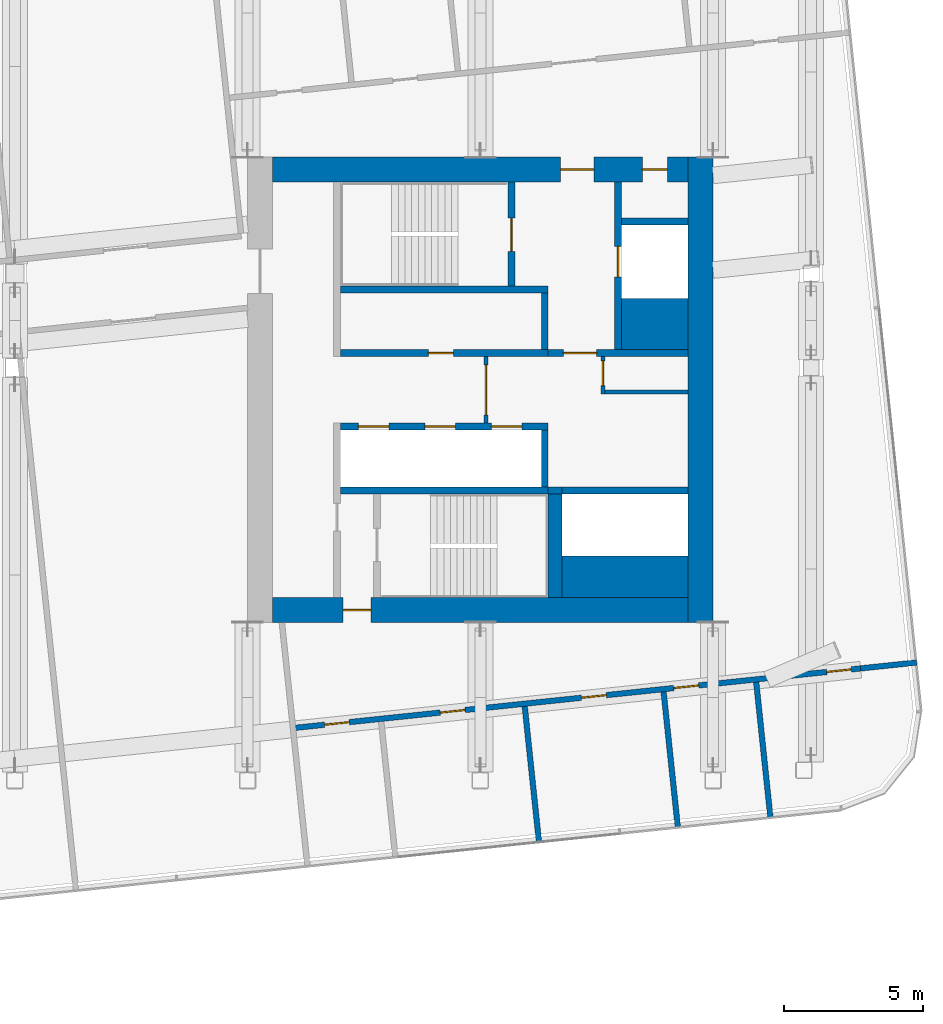
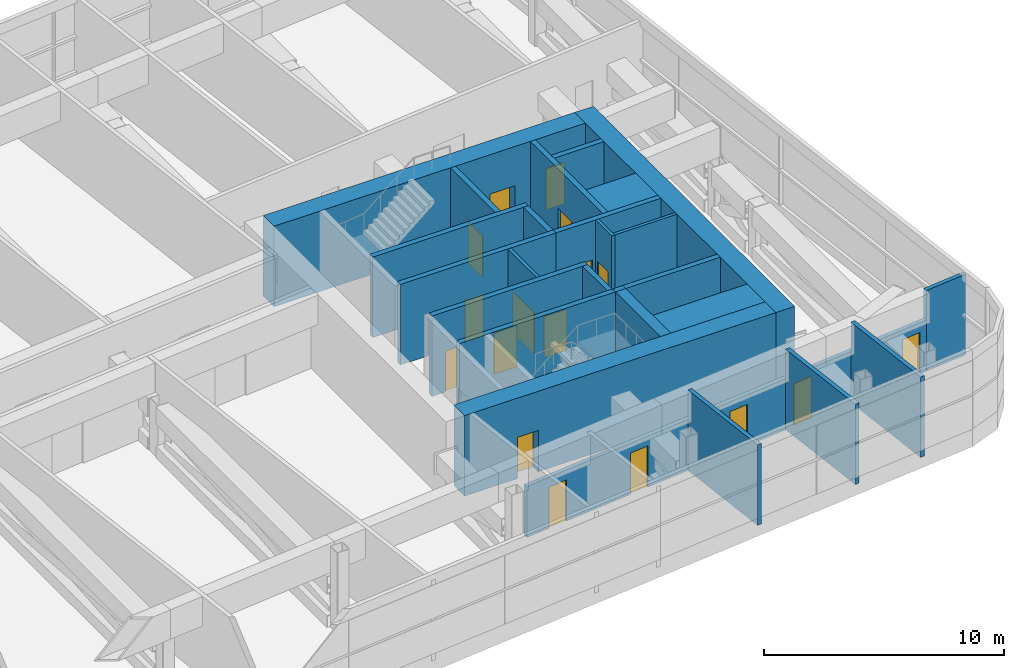
# One storey, part 18 of 33: 26 walls, 17 doors, 17 openings.
"""IFC4 building model written with IfcOpenShell, lengths in metres."""

from ifc_helpers import new_model, si_unit, direction, frame, frame_2d, origin, place, context, subcontext, project, spatial, rectangle, extrude, material, layer, layer_set, type_object, element, fill, save


model = new_model("IFC4")

# Units and contexts
model_context = context("Model", 3, precision=1e-05, world=origin(), true_north=direction((0.0, 1.0)))
body_context = subcontext(model_context, "Body", "Model", "MODEL_VIEW")
ifc_project = project(units=[si_unit("LENGTHUNIT", "METRE"), si_unit("AREAUNIT", "SQUARE_METRE"), si_unit("VOLUMEUNIT", "CUBIC_METRE"), si_unit("PLANEANGLEUNIT", "RADIAN"), si_unit("MASSUNIT", "GRAM", prefix="KILO")], contexts=[model_context])

# Site, building, storey
site_placement = place(None, origin())
site = spatial("IfcSite", under=ifc_project, at=site_placement, CompositionType="ELEMENT")
building_placement = place(site_placement, origin())
building = spatial("IfcBuilding", under=site, at=building_placement, Name="Hakoniwa Tower and Hamabe Station Hall", CompositionType="ELEMENT")
storey_placement = place(building_placement, frame((0.0, 0.0, 228.199951171875)))
storey = spatial("IfcBuildingStorey", under=building, at=storey_placement, Name="L65", CompositionType="ELEMENT", Elevation=228.199951171875)

# Wall, opening, door
ifc_material_1 = material(Name="Gypsum board partition")
ifc_layer_1 = layer(ifc_material_1, 0.14990234375)
ifc_layer_set_1 = layer_set([ifc_layer_1], Name="CORE PARTITION 150 EI 60")
wall_type_1 = type_object("IfcWallType", Name="CORE PARTITION 150 EI 60", PredefinedType="PARTITIONING", material=ifc_layer_set_1)
wall_1_placement = place(storey_placement, frame((25.39990234375, -1.199951171875, 0.0), z_axis=(0.0, 0.0, 1.0), x_axis=(0.0, 1.0, 0.0)))
wall_1 = element("IfcWall", 1, at=wall_1_placement, inside=storey, type_object=wall_type_1, Name="Core partition PL0 east", PredefinedType="PARTITIONING", context=body_context, shape_type="SweptSolid", body=[
    extrude(rectangle(XDim=2.39990234375, YDim=0.14990234375, at=frame_2d((1.199951171875, 0.0))), origin(), (0.0, 0.0, 1.0), 4.10009765625),
])
opening_1_placement = place(wall_1_placement, frame((0.300048828125, 0.0, 0.0)))
opening_1 = element("IfcOpeningElement", 2, at=opening_1_placement, cuts=wall_1, Name="Opening CD-E-LP0-18", PredefinedType="OPENING", context=body_context, shape_type="SweptSolid", body=[
    extrude(rectangle(XDim=1.800048828125, YDim=2.10009765625, at=frame_2d((0.89990234375, 1.050048828125))), frame((0.0, 0.0849609375, 0.0), z_axis=(0.0, -1.0, 0.0), x_axis=(1.0, 0.0, 0.0)), (0.0, 0.0, 1.0), 0.169921875),
])
ifc_material_2 = material(Name="Steel fire door", Category="steel")
door_type_1 = type_object("IfcDoorType", Name="CORE DOOR 1800 FD60", OperationType="DOUBLE_DOOR_SINGLE_SWING", PredefinedType="DOOR", material=ifc_material_2)
door_1_placement = place(opening_1_placement, origin())
door_1 = element("IfcDoor", 3, at=door_1_placement, inside=storey, type_object=door_type_1, Name="Lift lobby partition door", OperationType="DOUBLE_DOOR_SINGLE_SWING", OverallHeight=2.10009765625, OverallWidth=1.800048828125, PredefinedType="DOOR", context=body_context, shape_type="SweptSolid", body=[
    extrude(rectangle(XDim=1.800048828125, YDim=2.10009765625, at=frame_2d((0.89990234375, 1.050048828125))), frame((0.0, 0.02490234375, 0.0), z_axis=(0.0, -1.0, 0.0), x_axis=(1.0, 0.0, 0.0)), (0.0, 0.0, 1.0), 0.050048828125),
])
fill(opening_1, door_1)

wall_2_placement = place(storey_placement, frame((29.625, -0.14990234375, 0.0), z_axis=(0.0, 0.0, 1.0), x_axis=(0.0, 1.0, 0.0)))
wall_2 = element("IfcWall", 4, at=wall_2_placement, inside=storey, type_object=wall_type_1, Name="Core partition PW0 east", PredefinedType="PARTITIONING", context=body_context, shape_type="SweptSolid", body=[
    extrude(rectangle(XDim=1.349853515625, YDim=0.14990234375, at=frame_2d((0.6748046875, 0.0))), origin(), (0.0, 0.0, 1.0), 4.10009765625),
])
opening_2_placement = place(wall_2_placement, frame((0.300048828125, 0.0, 0.0)))
opening_2 = element("IfcOpeningElement", 5, at=opening_2_placement, cuts=wall_2, Name="Opening CD-E-RM1-9", PredefinedType="OPENING", context=body_context, shape_type="SweptSolid", body=[
    extrude(rectangle(XDim=0.89990234375, YDim=2.10009765625, at=frame_2d((0.449951171875, 1.050048828125))), frame((0.0, 0.0849609375, 0.0), z_axis=(0.0, -1.0, 0.0), x_axis=(1.0, 0.0, 0.0)), (0.0, 0.0, 1.0), 0.169921875),
])
ifc_material_3 = material(Name="Steel fire door", Category="steel")
door_type_2 = type_object("IfcDoorType", Name="CORE DOOR 900 FD30", OperationType="NOTDEFINED", PredefinedType="DOOR", material=ifc_material_3)
door_2_placement = place(opening_2_placement, origin())
door_2 = element("IfcDoor", 6, at=door_2_placement, inside=storey, type_object=door_type_2, Name="Store room door", OperationType="SINGLE_SWING_LEFT", OverallHeight=2.10009765625, OverallWidth=0.89990234375, PredefinedType="DOOR", context=body_context, shape_type="SweptSolid", body=[
    extrude(rectangle(XDim=0.89990234375, YDim=2.10009765625, at=frame_2d((0.449951171875, 1.050048828125))), frame((0.0, 0.02490234375, 0.0), z_axis=(0.0, -1.0, 0.0), x_axis=(1.0, 0.0, 0.0)), (0.0, 0.0, 1.0), 0.050048828125),
])
fill(opening_2, door_2)

# Walls
wall_3_placement = place(storey_placement, frame((29.699951171875, -0.074951171875, 0.0), z_axis=(0.0, 0.0, 1.0), x_axis=(1.0, 0.0, 0.0)))
element("IfcWall", 7, at=wall_3_placement, inside=storey, type_object=wall_type_1, Name="Core partition PS east", PredefinedType="PARTITIONING", context=body_context, shape_type="SweptSolid", body=[
    extrude(rectangle(XDim=3.0, YDim=0.14990234375, at=frame_2d((1.5, 0.0))), origin(), (0.0, 0.0, 1.0), 4.10009765625),
])
ifc_material_4 = material(Name="Concrete C60", Category="concrete")
ifc_layer_2 = layer(ifc_material_4, 0.89990234375)
ifc_layer_set_2 = layer_set([ifc_layer_2], Name="CORE WALL 900 C60")
wall_type_2 = type_object("IfcWallType", Name="CORE WALL 900 C60", PredefinedType="SHEAR", material=ifc_layer_set_2)
wall_4_placement = place(storey_placement, frame((33.14990234375, -8.39990234375, 0.0), z_axis=(0.0, 0.0, 1.0), x_axis=(0.0, 1.0, 0.0)))
element("IfcWall", 8, at=wall_4_placement, inside=storey, type_object=wall_type_2, Name="Core wall OUTER east", PredefinedType="SHEAR", context=body_context, shape_type="SweptSolid", body=[
    extrude(rectangle(XDim=16.7998046875, YDim=0.89990234375, at=frame_2d((8.39990234375, 0.0))), origin(), (0.0, 0.0, 1.0), 4.10009765625),
])

# Wall, openings, doors
wall_5_placement = place(storey_placement, frame((17.699951171875, 7.949951171875, 0.0), z_axis=(0.0, 0.0, 1.0), x_axis=(1.0, 0.0, 0.0)))
wall_5 = element("IfcWall", 9, at=wall_5_placement, inside=storey, type_object=wall_type_2, Name="Core wall NORTH east", PredefinedType="SHEAR", context=body_context, shape_type="SweptSolid", body=[
    extrude(rectangle(XDim=15.0, YDim=0.89990234375, at=frame_2d((7.5, 0.0))), origin(), (0.0, 0.0, 1.0), 4.10009765625),
])
opening_3_placement = place(wall_5_placement, frame((10.39990234375, 0.0, 0.0)))
opening_3 = element("IfcOpeningElement", 10, at=opening_3_placement, cuts=wall_5, Name="Opening CD-E-FN1-12", PredefinedType="OPENING", context=body_context, shape_type="SweptSolid", body=[
    extrude(rectangle(XDim=1.199951171875, YDim=2.10009765625, at=frame_2d((0.60009765625, 1.050048828125))), frame((0.0, 0.4599609375, 0.0), z_axis=(0.0, -1.0, 0.0), x_axis=(1.0, 0.0, 0.0)), (0.0, 0.0, 1.0), 0.919921875),
])
opening_4_placement = place(wall_5_placement, frame((13.35009765625, 0.0, 0.0)))
opening_4 = element("IfcOpeningElement", 11, at=opening_4_placement, cuts=wall_5, Name="Opening CD-E-FN2-9", PredefinedType="OPENING", context=body_context, shape_type="SweptSolid", body=[
    extrude(rectangle(XDim=0.89990234375, YDim=2.10009765625, at=frame_2d((0.449951171875, 1.050048828125))), frame((0.0, 0.4599609375, 0.0), z_axis=(0.0, -1.0, 0.0), x_axis=(1.0, 0.0, 0.0)), (0.0, 0.0, 1.0), 0.919921875),
])
ifc_material_5 = material(Name="Steel fire door", Category="steel")
door_type_3 = type_object("IfcDoorType", Name="CORE DOOR 1200 FD60", OperationType="DOUBLE_DOOR_SINGLE_SWING", PredefinedType="DOOR", material=ifc_material_5)
door_3_placement = place(opening_3_placement, origin())
door_3 = element("IfcDoor", 12, at=door_3_placement, inside=storey, type_object=door_type_3, Name="Stair vestibule door to the fire-fighting lobby", OperationType="DOUBLE_DOOR_SINGLE_SWING", OverallHeight=2.10009765625, OverallWidth=1.199951171875, PredefinedType="DOOR", context=body_context, shape_type="SweptSolid", body=[
    extrude(rectangle(XDim=1.199951171875, YDim=2.10009765625, at=frame_2d((0.60009765625, 1.050048828125))), frame((0.0, 0.02490234375, 0.0), z_axis=(0.0, -1.0, 0.0), x_axis=(1.0, 0.0, 0.0)), (0.0, 0.0, 1.0), 0.050048828125),
])
fill(opening_3, door_3)
door_4_placement = place(opening_4_placement, origin())
door_4 = element("IfcDoor", 13, at=door_4_placement, inside=storey, type_object=door_type_2, Name="Riser access door", OperationType="SINGLE_SWING_LEFT", OverallHeight=2.10009765625, OverallWidth=0.89990234375, PredefinedType="DOOR", context=body_context, shape_type="SweptSolid", body=[
    extrude(rectangle(XDim=0.89990234375, YDim=2.10009765625, at=frame_2d((0.449951171875, 1.050048828125))), frame((0.0, 0.02490234375, 0.0), z_axis=(0.0, -1.0, 0.0), x_axis=(1.0, 0.0, 0.0)), (0.0, 0.0, 1.0), 0.050048828125),
])
fill(opening_4, door_4)

# Wall, opening, door
wall_6_placement = place(storey_placement, frame((17.699951171875, -7.949951171875, 0.0), z_axis=(0.0, 0.0, 1.0), x_axis=(1.0, 0.0, 0.0)))
wall_6 = element("IfcWall", 14, at=wall_6_placement, inside=storey, type_object=wall_type_2, Name="Core wall SOUTH east", PredefinedType="SHEAR", context=body_context, shape_type="SweptSolid", body=[
    extrude(rectangle(XDim=15.0, YDim=0.89990234375, at=frame_2d((7.5, 0.0))), origin(), (0.0, 0.0, 1.0), 4.10009765625),
])
opening_5_placement = place(wall_6_placement, frame((2.550048828125, 0.0, 0.0)))
opening_5 = element("IfcOpeningElement", 15, at=opening_5_placement, cuts=wall_6, Name="Opening CD-E-FS3-10", PredefinedType="OPENING", context=body_context, shape_type="SweptSolid", body=[
    extrude(rectangle(XDim=1.0, YDim=2.10009765625, at=frame_2d((0.5, 1.050048828125))), frame((0.0, 0.4599609375, 0.0), z_axis=(0.0, -1.0, 0.0), x_axis=(1.0, 0.0, 0.0)), (0.0, 0.0, 1.0), 0.919921875),
])
ifc_material_6 = material(Name="Steel fire door", Category="steel")
door_type_4 = type_object("IfcDoorType", Name="CORE DOOR 1000 FD60", OperationType="NOTDEFINED", PredefinedType="DOOR", material=ifc_material_6)
door_5_placement = place(opening_5_placement, origin())
door_5 = element("IfcDoor", 16, at=door_5_placement, inside=storey, type_object=door_type_4, Name="Stair vestibule door", OperationType="SINGLE_SWING_LEFT", OverallHeight=2.10009765625, OverallWidth=1.0, PredefinedType="DOOR", context=body_context, shape_type="SweptSolid", body=[
    extrude(rectangle(XDim=1.0, YDim=2.10009765625, at=frame_2d((0.5, 1.050048828125))), frame((0.0, 0.02490234375, 0.0), z_axis=(0.0, -1.0, 0.0), x_axis=(1.0, 0.0, 0.0)), (0.0, 0.0, 1.0), 0.050048828125),
])
fill(opening_5, door_5)

# Walls
ifc_material_7 = material(Name="Concrete C60", Category="concrete")
ifc_layer_3 = layer(ifc_material_7, 1.5)
ifc_layer_set_3 = layer_set([ifc_layer_3], Name="CORE WEB WALL 1500 C60")
wall_type_3 = type_object("IfcWallType", Name="CORE WEB WALL 1500 C60", PredefinedType="SHEAR", material=ifc_layer_set_3)
wall_7_placement = place(storey_placement, frame((28.14990234375, -6.75, 0.0), z_axis=(0.0, 0.0, 1.0), x_axis=(1.0, 0.0, 0.0)))
element("IfcWall", 17, at=wall_7_placement, inside=storey, type_object=wall_type_3, Name="Core wall SER east", PredefinedType="SHEAR", context=body_context, shape_type="SweptSolid", body=[
    extrude(rectangle(XDim=4.550048828125, YDim=1.5, at=frame_2d((2.27490234375, 0.0))), origin(), (0.0, 0.0, 1.0), 4.10009765625),
])
ifc_material_8 = material(Name="Concrete C60", Category="concrete")
ifc_layer_4 = layer(ifc_material_8, 1.85009765625)
ifc_layer_set_4 = layer_set([ifc_layer_4], Name="CORE WEB WALL 1850 C60")
wall_type_4 = type_object("IfcWallType", Name="CORE WEB WALL 1850 C60", PredefinedType="SHEAR", material=ifc_layer_set_4)
wall_8_placement = place(storey_placement, frame((30.300048828125, 2.375, 0.0), z_axis=(0.0, 0.0, 1.0), x_axis=(1.0, 0.0, 0.0)))
element("IfcWall", 18, at=wall_8_placement, inside=storey, type_object=wall_type_4, Name="Core wall CA east", PredefinedType="SHEAR", context=body_context, shape_type="SweptSolid", body=[
    extrude(rectangle(XDim=2.39990234375, YDim=1.85009765625, at=frame_2d((1.199951171875, 0.0))), origin(), (0.0, 0.0, 1.0), 4.10009765625),
])

# Wall, opening, door
ifc_material_9 = material(Name="Concrete C60", Category="concrete")
ifc_layer_5 = layer(ifc_material_9, 0.25)
ifc_layer_set_5 = layer_set([ifc_layer_5], Name="CORE WEB WALL 250 C60")
wall_type_5 = type_object("IfcWallType", Name="CORE WEB WALL 250 C60", PredefinedType="SHEAR", material=ifc_layer_set_5)
wall_9_placement = place(storey_placement, frame((20.14990234375, 1.324951171875, 0.0), z_axis=(0.0, 0.0, 1.0), x_axis=(1.0, 0.0, 0.0)))
wall_9 = element("IfcWall", 19, at=wall_9_placement, inside=storey, type_object=wall_type_5, Name="Core wall NF east", PredefinedType="SHEAR", context=body_context, shape_type="SweptSolid", body=[
    extrude(rectangle(XDim=7.5, YDim=0.25, at=frame_2d((3.75, 0.0))), origin(), (0.0, 0.0, 1.0), 4.10009765625),
])
opening_6_placement = place(wall_9_placement, frame((3.175048828125, 0.0, 0.0)))
opening_6 = element("IfcOpeningElement", 20, at=opening_6_placement, cuts=wall_9, Name="Opening CD-E-FRLR0-9", PredefinedType="OPENING", context=body_context, shape_type="SweptSolid", body=[
    extrude(rectangle(XDim=0.89990234375, YDim=2.10009765625, at=frame_2d((0.449951171875, 1.050048828125))), frame((0.0, 0.135009765625, 0.0), z_axis=(0.0, -1.0, 0.0), x_axis=(1.0, 0.0, 0.0)), (0.0, 0.0, 1.0), 0.27001953125),
])
door_6_placement = place(opening_6_placement, origin())
door_6 = element("IfcDoor", 21, at=door_6_placement, inside=storey, type_object=door_type_2, Name="Store room door", OperationType="SINGLE_SWING_RIGHT", OverallHeight=2.10009765625, OverallWidth=0.89990234375, PredefinedType="DOOR", context=body_context, shape_type="SweptSolid", body=[
    extrude(rectangle(XDim=0.89990234375, YDim=2.10009765625, at=frame_2d((0.449951171875, 1.050048828125))), frame((0.0, 0.02490234375, 0.0), z_axis=(0.0, -1.0, 0.0), x_axis=(1.0, 0.0, 0.0)), (0.0, 0.0, 1.0), 0.050048828125),
])
fill(opening_6, door_6)

# Walls
wall_10_placement = place(storey_placement, frame((27.52490234375, 1.449951171875, 0.0), z_axis=(0.0, 0.0, 1.0), x_axis=(0.0, 1.0, 0.0)))
element("IfcWall", 22, at=wall_10_placement, inside=storey, type_object=wall_type_5, Name="Core wall NE east", PredefinedType="SHEAR", context=body_context, shape_type="SweptSolid", body=[
    extrude(rectangle(XDim=2.050048828125, YDim=0.25, at=frame_2d((1.02490234375, 0.0))), origin(), (0.0, 0.0, 1.0), 4.10009765625),
])
wall_11_placement = place(storey_placement, frame((20.14990234375, 3.625, 0.0), z_axis=(0.0, 0.0, 1.0), x_axis=(1.0, 0.0, 0.0)))
element("IfcWall", 23, at=wall_11_placement, inside=storey, type_object=wall_type_5, Name="Core wall NR east", PredefinedType="SHEAR", context=body_context, shape_type="SweptSolid", body=[
    extrude(rectangle(XDim=7.5, YDim=0.25, at=frame_2d((3.75, 0.0))), origin(), (0.0, 0.0, 1.0), 4.10009765625),
])

# Wall, opening, door
wall_12_placement = place(storey_placement, frame((26.324951171875, 3.75, 0.0), z_axis=(0.0, 0.0, 1.0), x_axis=(0.0, 1.0, 0.0)))
wall_12 = element("IfcWall", 24, at=wall_12_placement, inside=storey, type_object=wall_type_5, Name="Core wall NSE east", PredefinedType="SHEAR", context=body_context, shape_type="SweptSolid", body=[
    extrude(rectangle(XDim=3.75, YDim=0.25, at=frame_2d((1.875, 0.0))), origin(), (0.0, 0.0, 1.0), 4.10009765625),
])
opening_7_placement = place(wall_12_placement, frame((1.25, 0.0, 0.0)))
opening_7 = element("IfcOpeningElement", 25, at=opening_7_placement, cuts=wall_12, Name="Opening CD-E-SN-12", PredefinedType="OPENING", context=body_context, shape_type="SweptSolid", body=[
    extrude(rectangle(XDim=1.199951171875, YDim=2.10009765625, at=frame_2d((0.60009765625, 1.050048828125))), frame((0.0, 0.135009765625, 0.0), z_axis=(0.0, -1.0, 0.0), x_axis=(1.0, 0.0, 0.0)), (0.0, 0.0, 1.0), 0.27001953125),
])
door_7_placement = place(opening_7_placement, origin())
door_7 = element("IfcDoor", 26, at=door_7_placement, inside=storey, type_object=door_type_3, Name="Escape stair door", OperationType="DOUBLE_DOOR_SINGLE_SWING", OverallHeight=2.10009765625, OverallWidth=1.199951171875, PredefinedType="DOOR", context=body_context, shape_type="SweptSolid", body=[
    extrude(rectangle(XDim=1.199951171875, YDim=2.10009765625, at=frame_2d((0.60009765625, 1.050048828125))), frame((0.0, 0.02490234375, 0.0), z_axis=(0.0, -1.0, 0.0), x_axis=(1.0, 0.0, 0.0)), (0.0, 0.0, 1.0), 0.050048828125),
])
fill(opening_7, door_7)

wall_13_placement = place(storey_placement, frame((27.64990234375, 1.324951171875, 0.0), z_axis=(0.0, 0.0, 1.0), x_axis=(1.0, 0.0, 0.0)))
wall_13 = element("IfcWall", 27, at=wall_13_placement, inside=storey, type_object=wall_type_5, Name="Core wall ELN east", PredefinedType="SHEAR", context=body_context, shape_type="SweptSolid", body=[
    extrude(rectangle(XDim=5.050048828125, YDim=0.25, at=frame_2d((2.52490234375, 0.0))), origin(), (0.0, 0.0, 1.0), 4.10009765625),
])
opening_8_placement = place(wall_13_placement, frame((0.550048828125, 0.0, 0.0)))
opening_8 = element("IfcOpeningElement", 28, at=opening_8_placement, cuts=wall_13, Name="Opening CD-E-FL-12", PredefinedType="OPENING", context=body_context, shape_type="SweptSolid", body=[
    extrude(rectangle(XDim=1.199951171875, YDim=2.10009765625, at=frame_2d((0.60009765625, 1.050048828125))), frame((0.0, 0.135009765625, 0.0), z_axis=(0.0, -1.0, 0.0), x_axis=(1.0, 0.0, 0.0)), (0.0, 0.0, 1.0), 0.27001953125),
])
door_8_placement = place(opening_8_placement, origin())
door_8 = element("IfcDoor", 29, at=door_8_placement, inside=storey, type_object=door_type_3, Name="Stair vestibule door to the fire-fighting lobby", OperationType="DOUBLE_DOOR_SINGLE_SWING", OverallHeight=2.10009765625, OverallWidth=1.199951171875, PredefinedType="DOOR", context=body_context, shape_type="SweptSolid", body=[
    extrude(rectangle(XDim=1.199951171875, YDim=2.10009765625, at=frame_2d((0.60009765625, 1.050048828125))), frame((0.0, 0.02490234375, 0.0), z_axis=(0.0, -1.0, 0.0), x_axis=(1.0, 0.0, 0.0)), (0.0, 0.0, 1.0), 0.050048828125),
])
fill(opening_8, door_8)

wall_14_placement = place(storey_placement, frame((30.175048828125, 1.449951171875, 0.0), z_axis=(0.0, 0.0, 1.0), x_axis=(0.0, 1.0, 0.0)))
wall_14 = element("IfcWall", 30, at=wall_14_placement, inside=storey, type_object=wall_type_5, Name="Core wall FFF east", PredefinedType="SHEAR", context=body_context, shape_type="SweptSolid", body=[
    extrude(rectangle(XDim=6.050048828125, YDim=0.25, at=frame_2d((3.02490234375, 0.0))), origin(), (0.0, 0.0, 1.0), 4.10009765625),
])
opening_9_placement = place(wall_14_placement, frame((2.625, 0.0, 0.0)))
opening_9 = element("IfcOpeningElement", 31, at=opening_9_placement, cuts=wall_14, Name="Opening LD-FF2", PredefinedType="OPENING", context=body_context, shape_type="SweptSolid", body=[
    extrude(rectangle(XDim=1.10009765625, YDim=2.10009765625, at=frame_2d((0.550048828125, 1.050048828125))), frame((0.0, 0.135009765625, 0.0), z_axis=(0.0, -1.0, 0.0), x_axis=(1.0, 0.0, 0.0)), (0.0, 0.0, 1.0), 0.27001953125),
])
ifc_material_10 = material(Name="Stainless steel SUS304", Category="steel")
door_type_5 = type_object("IfcDoorType", Name="LIFT LANDING DOOR 1100 FD60", OperationType="DOUBLE_DOOR_SLIDING", PredefinedType="DOOR", material=ifc_material_10)
door_9_placement = place(opening_9_placement, origin())
door_9 = element("IfcDoor", 32, at=door_9_placement, inside=storey, type_object=door_type_5, Name="Lift landing door FF2 L65", OperationType="DOUBLE_DOOR_SLIDING", OverallHeight=2.10009765625, OverallWidth=1.10009765625, PredefinedType="DOOR", context=body_context, shape_type="SweptSolid", body=[
    extrude(rectangle(XDim=1.10009765625, YDim=2.10009765625, at=frame_2d((0.550048828125, 1.050048828125))), frame((0.0, 0.02490234375, 0.0), z_axis=(0.0, -1.0, 0.0), x_axis=(1.0, 0.0, 0.0)), (0.0, 0.0, 1.0), 0.050048828125),
])
fill(opening_9, door_9)

# Wall
wall_15_placement = place(storey_placement, frame((30.300048828125, 6.074951171875, 0.0), z_axis=(0.0, 0.0, 1.0), x_axis=(1.0, 0.0, 0.0)))
element("IfcWall", 33, at=wall_15_placement, inside=storey, type_object=wall_type_5, Name="Core wall C2 east", PredefinedType="SHEAR", context=body_context, shape_type="SweptSolid", body=[
    extrude(rectangle(XDim=2.39990234375, YDim=0.25, at=frame_2d((1.199951171875, 0.0))), origin(), (0.0, 0.0, 1.0), 4.10009765625),
])

# Wall, openings, doors
wall_16_placement = place(storey_placement, frame((20.14990234375, -1.324951171875, 0.0), z_axis=(0.0, 0.0, 1.0), x_axis=(1.0, 0.0, 0.0)))
wall_16 = element("IfcWall", 34, at=wall_16_placement, inside=storey, type_object=wall_type_5, Name="Core wall SF east", PredefinedType="SHEAR", context=body_context, shape_type="SweptSolid", body=[
    extrude(rectangle(XDim=7.5, YDim=0.25, at=frame_2d((3.75, 0.0))), origin(), (0.0, 0.0, 1.0), 4.10009765625),
])
opening_10_placement = place(wall_16_placement, frame((0.64990234375, 0.0, 0.0)))
opening_10 = element("IfcOpeningElement", 35, at=opening_10_placement, cuts=wall_16, Name="Opening LD-HR4", PredefinedType="OPENING", context=body_context, shape_type="SweptSolid", body=[
    extrude(rectangle(XDim=1.10009765625, YDim=2.10009765625, at=frame_2d((0.550048828125, 1.050048828125))), frame((0.0, 0.135009765625, 0.0), z_axis=(0.0, -1.0, 0.0), x_axis=(1.0, 0.0, 0.0)), (0.0, 0.0, 1.0), 0.27001953125),
])
opening_11_placement = place(wall_16_placement, frame((3.050048828125, 0.0, 0.0)))
opening_11 = element("IfcOpeningElement", 36, at=opening_11_placement, cuts=wall_16, Name="Opening LD-HR5", PredefinedType="OPENING", context=body_context, shape_type="SweptSolid", body=[
    extrude(rectangle(XDim=1.10009765625, YDim=2.10009765625, at=frame_2d((0.550048828125, 1.050048828125))), frame((0.0, 0.135009765625, 0.0), z_axis=(0.0, -1.0, 0.0), x_axis=(1.0, 0.0, 0.0)), (0.0, 0.0, 1.0), 0.27001953125),
])
opening_12_placement = place(wall_16_placement, frame((5.449951171875, 0.0, 0.0)))
opening_12 = element("IfcOpeningElement", 37, at=opening_12_placement, cuts=wall_16, Name="Opening LD-HR6", PredefinedType="OPENING", context=body_context, shape_type="SweptSolid", body=[
    extrude(rectangle(XDim=1.10009765625, YDim=2.10009765625, at=frame_2d((0.550048828125, 1.050048828125))), frame((0.0, 0.135009765625, 0.0), z_axis=(0.0, -1.0, 0.0), x_axis=(1.0, 0.0, 0.0)), (0.0, 0.0, 1.0), 0.27001953125),
])
door_10_placement = place(opening_10_placement, origin())
door_10 = element("IfcDoor", 38, at=door_10_placement, inside=storey, type_object=door_type_5, Name="Lift landing door HR4 L65", OperationType="DOUBLE_DOOR_SLIDING", OverallHeight=2.10009765625, OverallWidth=1.10009765625, PredefinedType="DOOR", context=body_context, shape_type="SweptSolid", body=[
    extrude(rectangle(XDim=1.10009765625, YDim=2.10009765625, at=frame_2d((0.550048828125, 1.050048828125))), frame((0.0, 0.02490234375, 0.0), z_axis=(0.0, -1.0, 0.0), x_axis=(1.0, 0.0, 0.0)), (0.0, 0.0, 1.0), 0.050048828125),
])
fill(opening_10, door_10)
door_11_placement = place(opening_11_placement, origin())
door_11 = element("IfcDoor", 39, at=door_11_placement, inside=storey, type_object=door_type_5, Name="Lift landing door HR5 L65", OperationType="DOUBLE_DOOR_SLIDING", OverallHeight=2.10009765625, OverallWidth=1.10009765625, PredefinedType="DOOR", context=body_context, shape_type="SweptSolid", body=[
    extrude(rectangle(XDim=1.10009765625, YDim=2.10009765625, at=frame_2d((0.550048828125, 1.050048828125))), frame((0.0, 0.02490234375, 0.0), z_axis=(0.0, -1.0, 0.0), x_axis=(1.0, 0.0, 0.0)), (0.0, 0.0, 1.0), 0.050048828125),
])
fill(opening_11, door_11)
door_12_placement = place(opening_12_placement, origin())
door_12 = element("IfcDoor", 40, at=door_12_placement, inside=storey, type_object=door_type_5, Name="Lift landing door HR6 L65", OperationType="DOUBLE_DOOR_SLIDING", OverallHeight=2.10009765625, OverallWidth=1.10009765625, PredefinedType="DOOR", context=body_context, shape_type="SweptSolid", body=[
    extrude(rectangle(XDim=1.10009765625, YDim=2.10009765625, at=frame_2d((0.550048828125, 1.050048828125))), frame((0.0, 0.02490234375, 0.0), z_axis=(0.0, -1.0, 0.0), x_axis=(1.0, 0.0, 0.0)), (0.0, 0.0, 1.0), 0.050048828125),
])
fill(opening_12, door_12)

# Walls
wall_17_placement = place(storey_placement, frame((27.52490234375, -3.5, 0.0), z_axis=(0.0, 0.0, 1.0), x_axis=(0.0, 1.0, 0.0)))
element("IfcWall", 41, at=wall_17_placement, inside=storey, type_object=wall_type_5, Name="Core wall SE east", PredefinedType="SHEAR", context=body_context, shape_type="SweptSolid", body=[
    extrude(rectangle(XDim=2.050048828125, YDim=0.25, at=frame_2d((1.02490234375, 0.0))), origin(), (0.0, 0.0, 1.0), 4.10009765625),
])
wall_18_placement = place(storey_placement, frame((20.14990234375, -3.625, 0.0), z_axis=(0.0, 0.0, 1.0), x_axis=(1.0, 0.0, 0.0)))
element("IfcWall", 42, at=wall_18_placement, inside=storey, type_object=wall_type_5, Name="Core wall SR east", PredefinedType="SHEAR", context=body_context, shape_type="SweptSolid", body=[
    extrude(rectangle(XDim=7.5, YDim=0.25, at=frame_2d((3.75, 0.0))), origin(), (0.0, 0.0, 1.0), 4.10009765625),
])
wall_19_placement = place(storey_placement, frame((28.14990234375, -3.625, 0.0), z_axis=(0.0, 0.0, 1.0), x_axis=(1.0, 0.0, 0.0)))
element("IfcWall", 43, at=wall_19_placement, inside=storey, type_object=wall_type_5, Name="Core wall SEF east", PredefinedType="SHEAR", context=body_context, shape_type="SweptSolid", body=[
    extrude(rectangle(XDim=4.550048828125, YDim=0.25, at=frame_2d((2.27490234375, 0.0))), origin(), (0.0, 0.0, 1.0), 4.10009765625),
])
wall_20_placement = place(storey_placement, frame((27.64990234375, -3.625, 0.0), z_axis=(0.0, 0.0, 1.0), x_axis=(1.0, 0.0, 0.0)))
element("IfcWall", 44, at=wall_20_placement, inside=storey, type_object=wall_type_5, Name="Core wall SRK east", PredefinedType="SHEAR", context=body_context, shape_type="SweptSolid", body=[
    extrude(rectangle(XDim=0.5, YDim=0.25, at=frame_2d((0.25, 0.0))), origin(), (0.0, 0.0, 1.0), 4.10009765625),
])
ifc_material_11 = material(Name="Concrete C60", Category="concrete")
ifc_layer_6 = layer(ifc_material_11, 0.5)
ifc_layer_set_6 = layer_set([ifc_layer_6], Name="CORE WEB WALL 500 C60")
wall_type_6 = type_object("IfcWallType", Name="CORE WEB WALL 500 C60", PredefinedType="SHEAR", material=ifc_layer_set_6)
wall_21_placement = place(storey_placement, frame((27.89990234375, -7.5, 0.0), z_axis=(0.0, 0.0, 1.0), x_axis=(0.0, 1.0, 0.0)))
element("IfcWall", 45, at=wall_21_placement, inside=storey, type_object=wall_type_6, Name="Core wall SSE east", PredefinedType="SHEAR", context=body_context, shape_type="SweptSolid", body=[
    extrude(rectangle(XDim=3.75, YDim=0.5, at=frame_2d((1.875, 0.0))), origin(), (0.0, 0.0, 1.0), 4.10009765625),
])

# Wall, openings, doors
ifc_material_12 = material(Name="Fire-rated gypsum board partition", Category="gypsum")
ifc_layer_7 = layer(ifc_material_12, 0.199951171875)
ifc_layer_set_7 = layer_set([ifc_layer_7], Name="Corridor Wall 200")
wall_type_7 = type_object("IfcWallType", Name="Corridor Wall 200", PredefinedType="PARTITIONING", material=ifc_layer_set_7)
wall_22_placement = place(storey_placement, frame((18.438232421875, -12.20556640625, 0.0), z_axis=(0.0, 0.0, 1.0), x_axis=(0.994522778466, 0.104520060816, 0.0)))
wall_22 = element("IfcWall", 46, at=wall_22_placement, inside=storey, type_object=wall_type_7, Name="GW-L65-001", PredefinedType="PARTITIONING", context=body_context, shape_type="SweptSolid", body=[
    extrude(rectangle(XDim=20.599609375, YDim=0.199951171875, at=frame_2d((10.2998046875, 0.0))), origin(), (0.0, 0.0, 1.0), 2.60009765625),
])
opening_13_placement = place(wall_22_placement, frame((1.14501953125, 0.0, 0.0)))
opening_13 = element("IfcOpeningElement", 47, at=opening_13_placement, cuts=wall_22, Name="Opening GD-SL65-01", PredefinedType="OPENING", context=body_context, shape_type="SweptSolid", body=[
    extrude(rectangle(XDim=0.89990234375, YDim=2.10009765625, at=frame_2d((0.449951171875, 1.050048828125))), frame((0.0, 0.10986328125, 0.0), z_axis=(0.0, -1.0, 0.0), x_axis=(1.0, 0.0, 0.0)), (0.0, 0.0, 1.0), 0.219970703125),
])
opening_14_placement = place(wall_22_placement, frame((5.344970703125, 0.0, 0.0)))
opening_14 = element("IfcOpeningElement", 48, at=opening_14_placement, cuts=wall_22, Name="Opening GD-SL65-02", PredefinedType="OPENING", context=body_context, shape_type="SweptSolid", body=[
    extrude(rectangle(XDim=0.89990234375, YDim=2.10009765625, at=frame_2d((0.449951171875, 1.050048828125))), frame((0.0, 0.10986328125, 0.0), z_axis=(0.0, -1.0, 0.0), x_axis=(1.0, 0.0, 0.0)), (0.0, 0.0, 1.0), 0.219970703125),
])
opening_15_placement = place(wall_22_placement, frame((10.469970703125, 0.0, 0.0)))
opening_15 = element("IfcOpeningElement", 49, at=opening_15_placement, cuts=wall_22, Name="Opening GD-SL65-03", PredefinedType="OPENING", context=body_context, shape_type="SweptSolid", body=[
    extrude(rectangle(XDim=0.89990234375, YDim=2.10009765625, at=frame_2d((0.449951171875, 1.050048828125))), frame((0.0, 0.10986328125, 0.0), z_axis=(0.0, -1.0, 0.0), x_axis=(1.0, 0.0, 0.0)), (0.0, 0.0, 1.0), 0.219970703125),
])
opening_16_placement = place(wall_22_placement, frame((13.820068359375, 0.0, 0.0)))
opening_16 = element("IfcOpeningElement", 50, at=opening_16_placement, cuts=wall_22, Name="Opening GD-SL65-04", PredefinedType="OPENING", context=body_context, shape_type="SweptSolid", body=[
    extrude(rectangle(XDim=0.89990234375, YDim=2.10009765625, at=frame_2d((0.449951171875, 1.050048828125))), frame((0.0, 0.10986328125, 0.0), z_axis=(0.0, -1.0, 0.0), x_axis=(1.0, 0.0, 0.0)), (0.0, 0.0, 1.0), 0.219970703125),
])
opening_17_placement = place(wall_22_placement, frame((19.3671875, 0.0, 0.0)))
opening_17 = element("IfcOpeningElement", 51, at=opening_17_placement, cuts=wall_22, Name="Opening GD-SL65-05", PredefinedType="OPENING", context=body_context, shape_type="SweptSolid", body=[
    extrude(rectangle(XDim=0.89990234375, YDim=2.10009765625, at=frame_2d((0.449951171875, 1.050048828125))), frame((0.0, 0.10986328125, 0.0), z_axis=(0.0, -1.0, 0.0), x_axis=(1.0, 0.0, 0.0)), (0.0, 0.0, 1.0), 0.219970703125),
])
ifc_material_13 = material(Name="Timber door leaf", Category="wood")
door_type_6 = type_object("IfcDoorType", Name="Service Door 900", OperationType="SINGLE_SWING_LEFT", PredefinedType="DOOR", material=ifc_material_13)
door_13_placement = place(opening_13_placement, origin())
door_13 = element("IfcDoor", 52, at=door_13_placement, inside=storey, type_object=door_type_6, Name="Door GD-SL65-01", OperationType="SINGLE_SWING_LEFT", OverallHeight=2.10009765625, OverallWidth=0.89990234375, PredefinedType="DOOR", context=body_context, shape_type="SweptSolid", body=[
    extrude(rectangle(XDim=0.89990234375, YDim=2.10009765625, at=frame_2d((0.449951171875, 1.050048828125))), frame((0.0, 0.02490234375, 0.0), z_axis=(0.0, -1.0, 0.0), x_axis=(1.0, 0.0, 0.0)), (0.0, 0.0, 1.0), 0.050048828125),
])
fill(opening_13, door_13)
door_14_placement = place(opening_14_placement, origin())
door_14 = element("IfcDoor", 53, at=door_14_placement, inside=storey, type_object=door_type_6, Name="Door GD-SL65-02", OperationType="SINGLE_SWING_RIGHT", OverallHeight=2.10009765625, OverallWidth=0.89990234375, PredefinedType="DOOR", context=body_context, shape_type="SweptSolid", body=[
    extrude(rectangle(XDim=0.89990234375, YDim=2.10009765625, at=frame_2d((0.449951171875, 1.050048828125))), frame((0.0, 0.02490234375, 0.0), z_axis=(0.0, -1.0, 0.0), x_axis=(1.0, 0.0, 0.0)), (0.0, 0.0, 1.0), 0.050048828125),
])
fill(opening_14, door_14)
door_15_placement = place(opening_15_placement, origin())
door_15 = element("IfcDoor", 54, at=door_15_placement, inside=storey, type_object=door_type_6, Name="Door GD-SL65-03", OperationType="SINGLE_SWING_LEFT", OverallHeight=2.10009765625, OverallWidth=0.89990234375, PredefinedType="DOOR", context=body_context, shape_type="SweptSolid", body=[
    extrude(rectangle(XDim=0.89990234375, YDim=2.10009765625, at=frame_2d((0.449951171875, 1.050048828125))), frame((0.0, 0.02490234375, 0.0), z_axis=(0.0, -1.0, 0.0), x_axis=(1.0, 0.0, 0.0)), (0.0, 0.0, 1.0), 0.050048828125),
])
fill(opening_15, door_15)
door_16_placement = place(opening_16_placement, origin())
door_16 = element("IfcDoor", 55, at=door_16_placement, inside=storey, type_object=door_type_6, Name="Door GD-SL65-04", OperationType="SINGLE_SWING_LEFT", OverallHeight=2.10009765625, OverallWidth=0.89990234375, PredefinedType="DOOR", context=body_context, shape_type="SweptSolid", body=[
    extrude(rectangle(XDim=0.89990234375, YDim=2.10009765625, at=frame_2d((0.449951171875, 1.050048828125))), frame((0.0, 0.02490234375, 0.0), z_axis=(0.0, -1.0, 0.0), x_axis=(1.0, 0.0, 0.0)), (0.0, 0.0, 1.0), 0.050048828125),
])
fill(opening_16, door_16)
door_17_placement = place(opening_17_placement, origin())
door_17 = element("IfcDoor", 56, at=door_17_placement, inside=storey, type_object=door_type_6, Name="Door GD-SL65-05", OperationType="SINGLE_SWING_LEFT", OverallHeight=2.10009765625, OverallWidth=0.89990234375, PredefinedType="DOOR", context=body_context, shape_type="SweptSolid", body=[
    extrude(rectangle(XDim=0.89990234375, YDim=2.10009765625, at=frame_2d((0.449951171875, 1.050048828125))), frame((0.0, 0.02490234375, 0.0), z_axis=(0.0, -1.0, 0.0), x_axis=(1.0, 0.0, 0.0)), (0.0, 0.0, 1.0), 0.050048828125),
])
fill(opening_17, door_17)

# Walls
wall_23_placement = place(storey_placement, frame((38.925048828125, -10.052490234375, 0.0), z_axis=(0.0, 0.0, 1.0), x_axis=(0.994513338235, 0.104609846917, 0.0)))
element("IfcWall", 57, at=wall_23_placement, inside=storey, type_object=wall_type_7, Name="GW-L65-001-1", PredefinedType="PARTITIONING", context=body_context, shape_type="SweptSolid", body=[
    extrude(rectangle(XDim=2.03515625, YDim=0.199951171875, at=frame_2d((1.017578125, 0.0))), origin(), (0.0, 0.0, 1.0), 4.10009765625),
])
ifc_material_14 = material(Name="Fire-rated gypsum board partition", Category="gypsum")
ifc_layer_8 = layer(ifc_material_14, 0.199951171875)
ifc_layer_set_8 = layer_set([ifc_layer_8], Name="Party Wall 200")
wall_type_8 = type_object("IfcWallType", Name="Party Wall 200", PredefinedType="PARTITIONING", material=ifc_layer_set_8)
wall_24_placement = place(storey_placement, frame((27.31884765625, -16.337890625, 0.0), z_axis=(0.0, 0.0, 1.0), x_axis=(-0.10456896857, 0.994517637255, 0.0)))
element("IfcWall", 58, at=wall_24_placement, inside=storey, type_object=wall_type_8, Name="GW-L65-023", PredefinedType="PARTITIONING", context=body_context, shape_type="SweptSolid", body=[
    extrude(rectangle(XDim=4.93798828125, YDim=0.199951171875, at=frame_2d((2.468994140625, 0.0))), origin(), (0.0, 0.0, 1.0), 4.10009765625),
])
wall_25_placement = place(storey_placement, frame((32.3310546875, -15.811279296875, 0.0), z_axis=(0.0, 0.0, 1.0), x_axis=(-0.104514928117, 0.994523317877, 0.0)))
element("IfcWall", 59, at=wall_25_placement, inside=storey, type_object=wall_type_8, Name="GW-L65-025", PredefinedType="PARTITIONING", context=body_context, shape_type="SweptSolid", body=[
    extrude(rectangle(XDim=4.938232421875, YDim=0.199951171875, at=frame_2d((2.46923828125, 0.0))), origin(), (0.0, 0.0, 1.0), 4.10009765625),
])
wall_26_placement = place(storey_placement, frame((35.6728515625, -15.4599609375, 0.0), z_axis=(0.0, 0.0, 1.0), x_axis=(-0.10456896857, 0.994517637255, 0.0)))
element("IfcWall", 60, at=wall_26_placement, inside=storey, type_object=wall_type_8, Name="GW-L65-026", PredefinedType="PARTITIONING", context=body_context, shape_type="SweptSolid", body=[
    extrude(rectangle(XDim=4.93798828125, YDim=0.199951171875, at=frame_2d((2.468994140625, 0.0))), origin(), (0.0, 0.0, 1.0), 4.10009765625),
])

save(model, "model.ifc")
